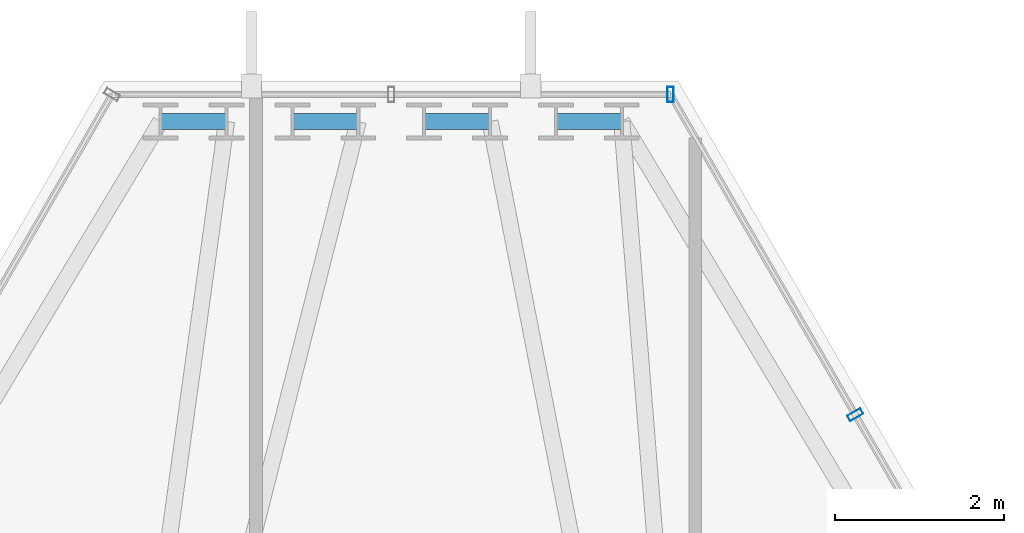
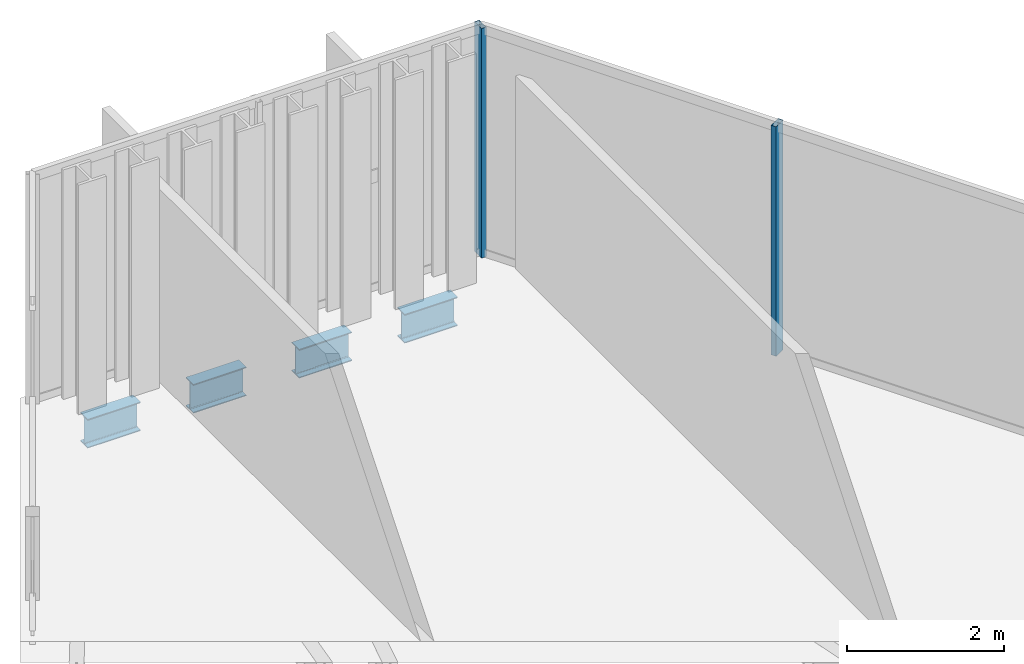
# One storey, part 22 of 29: 4 beams, 2 members, 2 elements without a shape of their own.
"""IFC4 building model written with IfcOpenShell, lengths in metres."""

from ifc_helpers import new_model, si_unit, direction, frame, origin, origin_2d, place, context, subcontext, project, spatial, hollow_rectangle, i_section, extrude, material, layer, layer_set, material_profile, profile_set, type_object, element, aggregate, save


model = new_model("IFC4")

# Units and contexts
model_context = context("Model", 3, precision=1e-05, world=origin(), true_north=direction((0.0, 1.0)))
body_context = subcontext(model_context, "Body", "Model", "MODEL_VIEW")
ifc_project = project(units=[si_unit("LENGTHUNIT", "METRE"), si_unit("AREAUNIT", "SQUARE_METRE"), si_unit("VOLUMEUNIT", "CUBIC_METRE"), si_unit("PLANEANGLEUNIT", "RADIAN"), si_unit("MASSUNIT", "GRAM", prefix="KILO")], contexts=[model_context])

# Site, building, storey
site_placement = place(None, origin())
site = spatial("IfcSite", under=ifc_project, at=site_placement, CompositionType="ELEMENT")
building_placement = place(site_placement, origin())
building = spatial("IfcBuilding", under=site, at=building_placement, Name="Ndaravel Arena Tower", CompositionType="ELEMENT")
storey_placement = place(building_placement, frame((0.0, 0.0, 244.60009765625)))
storey = spatial("IfcBuildingStorey", under=building, at=storey_placement, Name="L59", CompositionType="ELEMENT", Elevation=244.60009765625)

# Beams
ifc_material_1 = material(Name="Steel S355", Category="steel")
ifc_material_profile_1 = material_profile(ifc_material_1, i_section(OverallWidth=0.18994140625, OverallDepth=0.449951171875, WebThickness=0.009521484375, FlangeThickness=0.0146484375, FilletRadius=0.02099609375, at=origin_2d()), Name="IPE 450")
ifc_profile_set_1 = profile_set([ifc_material_profile_1], Name="Steel S355")
beam_type = type_object("IfcBeamType", Name="BM-SPAN-IPE450", PredefinedType="SPANDREL", material=ifc_profile_set_1)
for number, where, z_axis, x_axis, name in (
    (1, (44.72900390625, 44.669677734375, -0.445068359375), (-1.0, 0.0, 0.0), (0.0, -1.0, 0.0), "L59 Perimeter Spandrel Beam SP-11"),
    (2, (43.169677734375, 44.669677734375, -0.445068359375), (-1.0, 0.0, 0.0), (0.0, -1.0, 0.0), "L59 Perimeter Spandrel Beam SP-13"),
    (3, (41.610107421875, 44.669677734375, -0.445068359375), (-1.0, 0.0, 0.0), (0.0, -1.0, 0.0), "L59 Perimeter Spandrel Beam SP-15"),
    (4, (40.05078125, 44.669677734375, -0.445068359375), (-1.0, 0.0, 0.0), (0.0, -1.0, 0.0), "L59 Perimeter Spandrel Beam SP-17"),
):
    element("IfcBeam", number, at=place(storey_placement, frame(where, z_axis=z_axis, x_axis=x_axis)), inside=storey, type_object=beam_type, Name=name, PredefinedType="SPANDREL", context=body_context, shape_type="SweptSolid", body=[
        extrude(i_section(OverallWidth=0.18994140625, OverallDepth=0.449951171875, WebThickness=0.009521484375, FlangeThickness=0.0146484375, FilletRadius=0.02099609375, at=origin_2d()), origin(), (0.0, 0.0, 1.0), 0.77978515625),
    ])

# Curtain wall, member
ifc_material_2 = material(Name="Aluminium", Category="aluminium")
ifc_layer_1 = layer(ifc_material_2, 0.179931640625)
ifc_layer_set_1 = layer_set([ifc_layer_1], Name="Aluminium")
curtain_wall_type_1 = type_object("IfcCurtainWallType", Name="CW-SYS-03", PredefinedType="NOTDEFINED", material=ifc_layer_set_1)
curtain_wall_1_placement = place(storey_placement, origin())
curtain_wall_1 = element("IfcCurtainWall", 5, at=curtain_wall_1_placement, inside=storey, type_object=curtain_wall_type_1, Name="L59 Faceted Crystal Curtain Wall CW-L59-E03", PredefinedType="NOTDEFINED")
ifc_material_3 = material(Name="Aluminium", Category="aluminium")
ifc_material_profile_2 = material_profile(ifc_material_3, hollow_rectangle(XDim=0.074951171875, YDim=0.179931640625, WallThickness=0.00390625, at=origin_2d()), Name="CW MULLION 75x180x4")
ifc_profile_set_2 = profile_set([ifc_material_profile_2], Name="Aluminium")
member_type = type_object("IfcMemberType", Name="MEM-CW-MUL180", PredefinedType="MULLION", material=ifc_profile_set_2)
member_1_placement = place(storey_placement, frame((47.49169921875, 41.199951171875, 0.0), z_axis=(0.0, 0.0, 1.0), x_axis=(-0.5, 0.866025403784, 0.0)))
member_1 = element("IfcMember", 6, at=member_1_placement, type_object=member_type, Name="CW-L59-E03 Mullion 08", PredefinedType="MULLION", context=body_context, shape_type="SweptSolid", body=[
    extrude(hollow_rectangle(XDim=0.074951171875, YDim=0.179931640625, WallThickness=0.00390625, at=origin_2d()), origin(), (0.0, 0.0, 1.0), 3.579833984375),
])
aggregate(curtain_wall_1, [member_1])

ifc_material_4 = material(Name="Aluminium", Category="aluminium")
ifc_layer_2 = layer(ifc_material_4, 0.179931640625)
ifc_layer_set_2 = layer_set([ifc_layer_2], Name="Aluminium")
curtain_wall_type_2 = type_object("IfcCurtainWallType", Name="CW-SYS-01", PredefinedType="NOTDEFINED", material=ifc_layer_set_2)
curtain_wall_2_placement = place(storey_placement, origin())
curtain_wall_2 = element("IfcCurtainWall", 7, at=curtain_wall_2_placement, inside=storey, type_object=curtain_wall_type_2, Name="L59 Faceted Crystal Curtain Wall CW-L59-E04", PredefinedType="NOTDEFINED")
member_2_placement = place(storey_placement, frame((45.3037109375, 44.989501953125, 0.0), z_axis=(0.0, 0.0, 1.0), x_axis=(-1.0, 0.0, 0.0)))
member_2 = element("IfcMember", 8, at=member_2_placement, type_object=member_type, Name="CW-L59-E04 Mullion 00", PredefinedType="MULLION", context=body_context, shape_type="SweptSolid", body=[
    extrude(hollow_rectangle(XDim=0.074951171875, YDim=0.179931640625, WallThickness=0.00390625, at=origin_2d()), origin(), (0.0, 0.0, 1.0), 3.579833984375),
])
aggregate(curtain_wall_2, [member_2])

save(model, "model.ifc")
